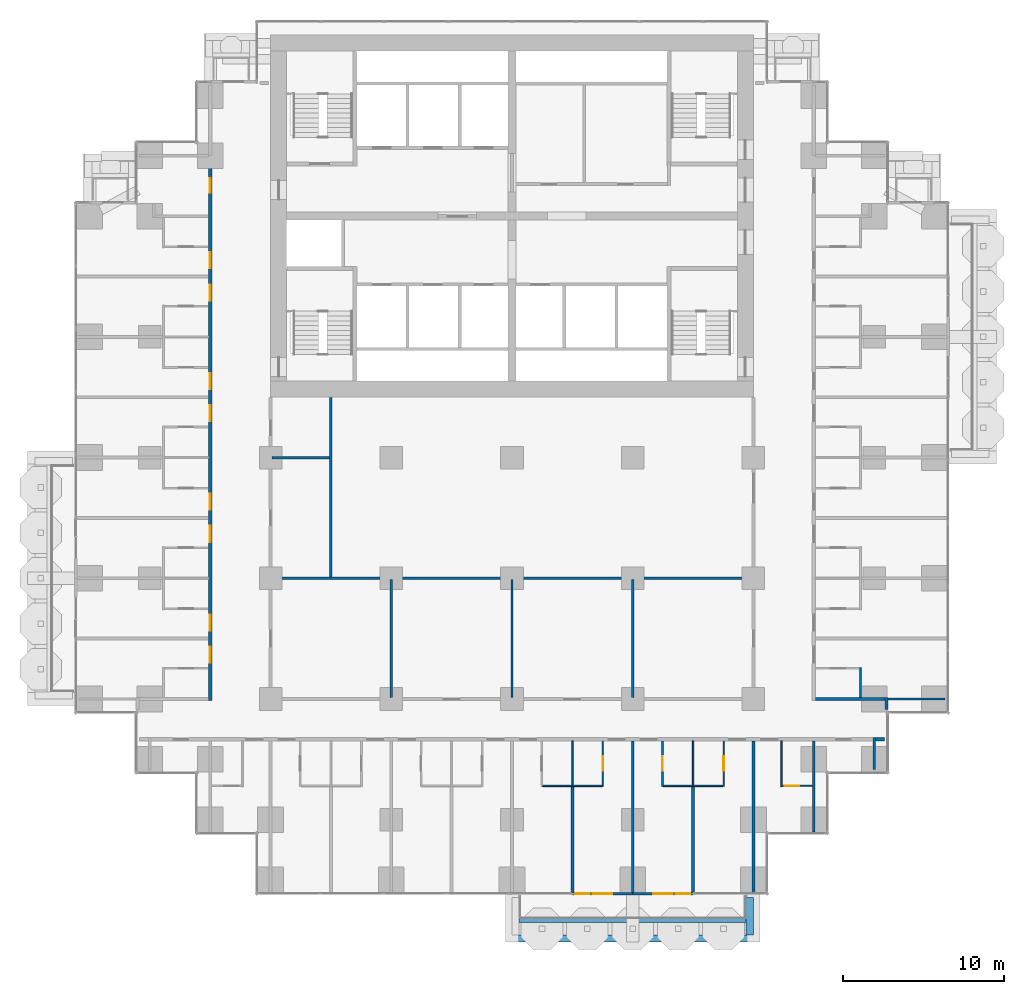
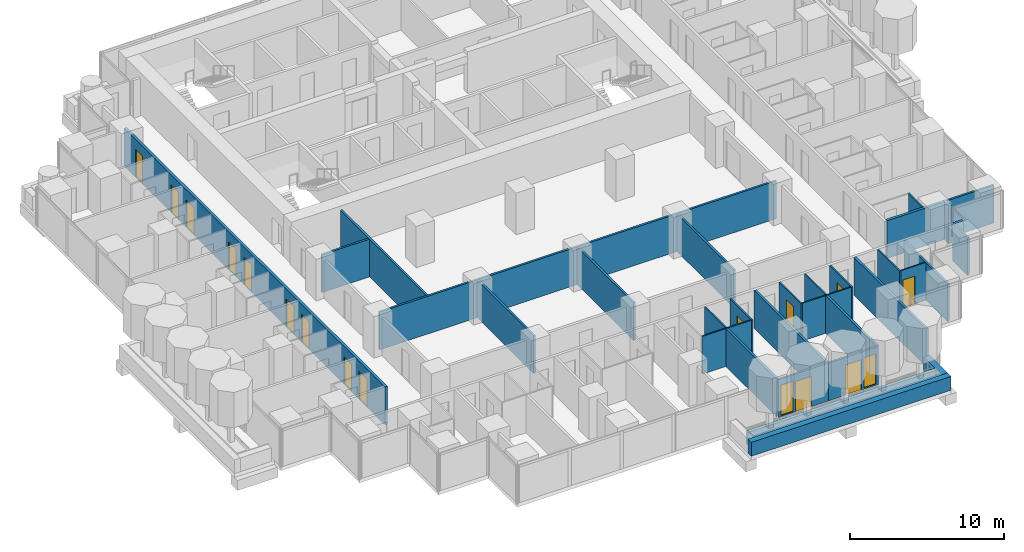
# One storey, part 12 of 19: 32 walls, 15 doors, 2 windows, 17 openings.
"""IFC4 building model written with IfcOpenShell, lengths in metres."""

import ifcopenshell
import ifcopenshell.guid

model = None  # the IFC model being written
_history = None  # IfcOwnerHistory: only IFC2X3 demands one
_inside = {}  # id of a spatial element -> (the spatial element, [elements in it])
_under = {}  # id of a project, library or spatial element -> (it, [spatial elements below it])
_declared = {}  # id of a project -> (the project, [libraries it declares])
_typed = {}  # id of a type object -> (the type object, [elements of that type])
_made_of = {}  # id of a material, layer set ... -> (it, [elements and type objects made of it])


def new_model(schema):
    """Start an empty IFC model of exactly this schema.

    Asked for "IFC4X3", IfcOpenShell would pick the latest addendum, in which some entities
    have other attributes; the version numbers below select the first issue.
    IFC2X3 requires an IfcOwnerHistory on every rooted entity: one is made here for all.
    """
    global model, _history
    if schema == "IFC4X3":
        model = ifcopenshell.file(schema_version=(4, 3, 0, 0))
    else:
        model = ifcopenshell.file(schema=schema)
    _inside.clear()
    _under.clear()
    _declared.clear()
    _typed.clear()
    _made_of.clear()
    _history = None
    if model.schema == "IFC2X3":
        org = make("IfcOrganization", Name="unknown")
        user = make(
            "IfcPersonAndOrganization",
            ThePerson=make("IfcPerson", FamilyName="unknown"),
            TheOrganization=org,
        )
        app = make(
            "IfcApplication",
            ApplicationDeveloper=org,
            Version="unknown",
            ApplicationFullName="unknown",
            ApplicationIdentifier="unknown",
        )
        _history = make(
            "IfcOwnerHistory",
            OwningUser=user,
            OwningApplication=app,
            ChangeAction="ADDED",
            CreationDate=0,
        )
    return model


def make(cls, **values):
    """One entity of the class cls with the attributes given. An attribute that is None is left unset."""
    return model.create_entity(
        cls, **{name: value for name, value in values.items() if value is not None}
    )


def rooted(cls, **values):
    """An entity with a GlobalId (a new one), such as an element, a storey or a relation."""
    return make(cls, GlobalId=ifcopenshell.guid.new(), OwnerHistory=_history, **values)


def si_unit(unit_type, name, prefix=None):
    """IfcSIUnit, for example si_unit("LENGTHUNIT", "METRE", prefix="MILLI")."""
    return make("IfcSIUnit", UnitType=unit_type, Prefix=prefix, Name=name)


def assignment(units):
    """IfcUnitAssignment: the units of a project."""
    return None if units is None else make("IfcUnitAssignment", Units=units)


def point(xyz):
    """IfcCartesianPoint."""
    return None if xyz is None else make("IfcCartesianPoint", Coordinates=xyz)


def direction(xyz):
    """IfcDirection."""
    return None if xyz is None else make("IfcDirection", DirectionRatios=xyz)


def frame(location, z_axis=None, x_axis=None):
    """IfcAxis2Placement3D, a coordinate frame: its origin and axes. An axis left out is left unset."""
    return make(
        "IfcAxis2Placement3D",
        Location=point(location),
        Axis=direction(z_axis),
        RefDirection=direction(x_axis),
    )


def frame_2d(location, x_axis=None):
    """IfcAxis2Placement2D, a coordinate frame in the plane: its origin and x axis."""
    return make(
        "IfcAxis2Placement2D", Location=point(location), RefDirection=direction(x_axis)
    )


def origin():
    """The frame at (0, 0, 0) with its axes left unset."""
    return frame((0.0, 0.0, 0.0))


def place(relative_to, where):
    """IfcLocalPlacement: puts the frame where relative to a parent placement (None: the world)."""
    return make(
        "IfcLocalPlacement", PlacementRelTo=relative_to, RelativePlacement=where
    )


def context(
    kind, dimensions, precision=None, world=None, true_north=None, identifier=None
):
    """IfcGeometricRepresentationContext, for example the 3D "Model" context."""
    return make(
        "IfcGeometricRepresentationContext",
        ContextIdentifier=identifier,
        ContextType=kind,
        CoordinateSpaceDimension=dimensions,
        Precision=precision,
        WorldCoordinateSystem=world,
        TrueNorth=true_north,
    )


def subcontext(parent, identifier, kind, view, scale=None):
    """IfcGeometricRepresentationSubContext, for example "Body" below "Model"."""
    return make(
        "IfcGeometricRepresentationSubContext",
        ContextIdentifier=identifier,
        ContextType=kind,
        ParentContext=parent,
        TargetScale=scale,
        TargetView=view,
    )


def project(units=None, contexts=None):
    """IfcProject with its units and contexts."""
    return rooted(
        "IfcProject",
        Name="project",
        RepresentationContexts=contexts,
        UnitsInContext=assignment(units),
    )


def spatial(cls, under=None, at=None, **own):
    """A site, building, storey or space (cls), placed at a placement, below another one or the project."""
    s = rooted(cls, ObjectPlacement=at, **own)
    if under is not None:
        _under.setdefault(under.id(), (under, []))[1].append(s)
    return s


def profile(cls, at=None, kind="AREA", **sizes):
    """A parametric profile (cls). Its sizes go by their IFC names, for example OverallWidth=200.0."""
    return make(cls, ProfileType=kind, Position=at, **sizes)


def rectangle(**sizes):
    """IfcRectangleProfileDef."""
    return profile("IfcRectangleProfileDef", **sizes)


def extrude(swept, where, along, depth):
    """IfcExtrudedAreaSolid: the profile swept, set in the frame where, extruded along a direction by depth."""
    return make(
        "IfcExtrudedAreaSolid",
        SweptArea=swept,
        Position=where,
        ExtrudedDirection=direction(along),
        Depth=depth,
    )


def shape(context_of_items, identifier, shape_type, items):
    """IfcShapeRepresentation: the items that make up one representation, for example the "Body"."""
    return make(
        "IfcShapeRepresentation",
        ContextOfItems=context_of_items,
        RepresentationIdentifier=identifier,
        RepresentationType=shape_type,
        Items=items,
    )


def material(Name=None, Category=None):
    """IfcMaterial."""
    return make("IfcMaterial", Name=Name, Category=Category)


def layer(
    of_material, thickness, ventilated=None, Name=None, Category=None, Priority=None
):
    """IfcMaterialLayer: one layer of a wall or slab, of a material (None: an air gap)."""
    return make(
        "IfcMaterialLayer",
        Material=of_material,
        LayerThickness=thickness,
        IsVentilated=ventilated,
        Name=Name,
        Category=Category,
        Priority=Priority,
    )


def layer_set(layers, Name=None):
    """IfcMaterialLayerSet."""
    return make("IfcMaterialLayerSet", MaterialLayers=layers, LayerSetName=Name)


def made_of(thing, what):
    """Note that an element or type object is made of a material, layer set ...; save() writes the relation."""
    if what is not None:
        _made_of.setdefault(what.id(), (what, []))[1].append(thing)
    return thing


def type_object(cls, material=None, **own):
    """A type object (cls), such as IfcWallType, which elements share."""
    return made_of(rooted(cls, **own), material)


def element(
    cls,
    number,
    at=None,
    inside=None,
    cuts=None,
    type_object=None,
    material=None,
    context=None,
    identifier="Body",
    shape_type=None,
    held_by="IfcProductDefinitionShape",
    body=None,
    shapes=None,
    **own,
):
    """One element of the class cls, such as IfcWall. Its Tag is "e" and its number.

    at: its placement. inside: the storey or other place that contains it. cuts: it is an
    opening in that element (IfcRelVoidsElement). A single representation is given by context,
    identifier, shape_type and body (its items); several are given by shapes. held_by: the class
    of the entity that holds the representations. save() writes the other relations.
    """
    e = rooted(cls, Tag="e%d" % number, ObjectPlacement=at, **own)
    if body is not None:
        shapes = [shape(context, identifier, shape_type, body)]
    if shapes is not None:
        e.Representation = make(held_by, Representations=shapes)
    if inside is not None:
        _inside.setdefault(inside.id(), (inside, []))[1].append(e)
    if cuts is not None:
        rooted(
            "IfcRelVoidsElement", RelatingBuildingElement=cuts, RelatedOpeningElement=e
        )
    if type_object is not None:
        _typed.setdefault(type_object.id(), (type_object, []))[1].append(e)
    return made_of(e, material)


def fill(opening, filler):
    """IfcRelFillsElement: the door or window that sits in an opening."""
    return rooted(
        "IfcRelFillsElement",
        RelatingOpeningElement=opening,
        RelatedBuildingElement=filler,
    )


def aggregate(whole, parts):
    """IfcRelAggregates: a whole, such as a stair, and the parts it consists of."""
    return rooted("IfcRelAggregates", RelatingObject=whole, RelatedObjects=parts)


def save(model, path):
    """Write the relations noted so far, then the file.

    IfcRelAggregates (storeys below a building ...), IfcRelContainedInSpatialStructure (elements
    in a storey), IfcRelDefinesByType, IfcRelAssociatesMaterial and IfcRelDeclares: one each for
    every whole, place, type object, material and project.
    """
    for whole, parts in _under.values():
        aggregate(whole, parts)
    for where, things in _inside.values():
        rooted(
            "IfcRelContainedInSpatialStructure",
            RelatedElements=things,
            RelatingStructure=where,
        )
    for kind, things in _typed.values():
        rooted("IfcRelDefinesByType", RelatedObjects=things, RelatingType=kind)
    for what, things in _made_of.values():
        rooted("IfcRelAssociatesMaterial", RelatedObjects=things, RelatingMaterial=what)
    for by, libraries in _declared.values():
        rooted("IfcRelDeclares", RelatingContext=by, RelatedDefinitions=libraries)
    model.write(path)


model = new_model("IFC4")

# Units and contexts
model_context = context("Model", 3, precision=1e-05, world=origin(), true_north=direction((0.0, 1.0)))
body_context = subcontext(model_context, "Body", "Model", "MODEL_VIEW")
ifc_project = project(units=[si_unit("LENGTHUNIT", "METRE"), si_unit("AREAUNIT", "SQUARE_METRE"), si_unit("VOLUMEUNIT", "CUBIC_METRE"), si_unit("PLANEANGLEUNIT", "RADIAN"), si_unit("MASSUNIT", "GRAM", prefix="KILO")], contexts=[model_context])

# Site, building, storey
site_placement = place(None, origin())
site = spatial("IfcSite", under=ifc_project, at=site_placement, CompositionType="ELEMENT")
building_placement = place(site_placement, origin())
building = spatial("IfcBuilding", under=site, at=building_placement, Name="Pilkhan Gate Tower", CompositionType="ELEMENT")
storey_placement = place(building_placement, frame((0.0, 0.0, 46.10009765625)))
storey = spatial("IfcBuildingStorey", under=building, at=storey_placement, Name="L08", CompositionType="ELEMENT", Elevation=46.10009765625)

# Walls
ifc_material_1 = material(Name="Dense blockwork", Category="masonry")
ifc_layer_1 = layer(ifc_material_1, 0.175048828125)
ifc_layer_set_1 = layer_set([ifc_layer_1], Name="Acoustic party wall PW175")
wall_type_1 = type_object("IfcWallType", Name="Acoustic party wall PW175", PredefinedType="PARTITIONING", material=ifc_layer_set_1)
wall_1_placement = place(storey_placement, frame((78.75, 40.485107421875, 0.0), z_axis=(0.0, 0.0, 1.0), x_axis=(0.0, 1.0, 0.0)))
element("IfcWall", 1, at=wall_1_placement, inside=storey, type_object=wall_type_1, Name="Partition L08", PredefinedType="PARTITIONING", context=body_context, shape_type="SweptSolid", body=[
    extrude(rectangle(XDim=6.56494140625, YDim=0.175048828125, at=frame_2d((3.282470703125, 0.0))), origin(), (0.0, 0.0, 1.0), 3.0),
])
wall_2_placement = place(storey_placement, frame((82.5, 40.485107421875, 0.0), z_axis=(0.0, 0.0, 1.0), x_axis=(0.0, 1.0, 0.0)))
element("IfcWall", 2, at=wall_2_placement, inside=storey, type_object=wall_type_1, Name="Partition L08", PredefinedType="PARTITIONING", context=body_context, shape_type="SweptSolid", body=[
    extrude(rectangle(XDim=9.414794921875, YDim=0.175048828125, at=frame_2d((4.70751953125, 0.0))), origin(), (0.0, 0.0, 1.0), 3.0),
])
wall_3_placement = place(storey_placement, frame((86.25, 40.485107421875, 0.0), z_axis=(0.0, 0.0, 1.0), x_axis=(0.0, 1.0, 0.0)))
element("IfcWall", 3, at=wall_3_placement, inside=storey, type_object=wall_type_1, Name="Partition L08", PredefinedType="PARTITIONING", context=body_context, shape_type="SweptSolid", body=[
    extrude(rectangle(XDim=6.56494140625, YDim=0.175048828125, at=frame_2d((3.282470703125, 0.0))), origin(), (0.0, 0.0, 1.0), 3.0),
])
wall_4_placement = place(storey_placement, frame((90.0, 40.485107421875, 0.0), z_axis=(0.0, 0.0, 1.0), x_axis=(0.0, 1.0, 0.0)))
element("IfcWall", 4, at=wall_4_placement, inside=storey, type_object=wall_type_1, Name="Partition L08", PredefinedType="PARTITIONING", context=body_context, shape_type="SweptSolid", body=[
    extrude(rectangle(XDim=9.414794921875, YDim=0.175048828125, at=frame_2d((4.70751953125, 0.0))), origin(), (0.0, 0.0, 1.0), 3.0),
])
ifc_material_2 = material(Name="Concrete C40/50", Category="concrete")
ifc_layer_2 = layer(ifc_material_2, 0.25)
ifc_layer_set_2 = layer_set([ifc_layer_2], Name="Balcony planter BP250")
wall_type_2 = type_object("IfcWallType", Name="Balcony planter BP250", PredefinedType="USERDEFINED", material=ifc_layer_set_2)
wall_5_placement = place(storey_placement, frame((75.449951171875, 38.72509765625, 0.0), z_axis=(0.0, 0.0, 1.0), x_axis=(1.0, 0.0, 0.0)))
element("IfcWall", 5, at=wall_5_placement, inside=storey, type_object=wall_type_2, Name="Balcony planter L08 S", ObjectType="BALCONY PLANTER", PredefinedType="USERDEFINED", context=body_context, shape_type="SweptSolid", body=[
    extrude(rectangle(XDim=14.10009765625, YDim=0.25, at=frame_2d((7.050048828125, 0.0))), origin(), (0.0, 0.0, 1.0), 1.0),
])
ifc_material_3 = material(Name="Board-marked Concrete C40/50", Category="concrete")
ifc_layer_3 = layer(ifc_material_3, 0.449951171875)
ifc_layer_set_3 = layer_set([ifc_layer_3], Name="Balcony planter lip BL450")
wall_type_3 = type_object("IfcWallType", Name="Balcony planter lip BL450", PredefinedType="USERDEFINED", material=ifc_layer_set_3)
wall_6_placement = place(storey_placement, frame((75.0, 37.625, 0.0), z_axis=(0.0, 0.0, 1.0), x_axis=(1.0, 0.0, 0.0)))
element("IfcWall", 6, at=wall_6_placement, inside=storey, type_object=wall_type_3, Name="Balcony planter L08 S", ObjectType="BALCONY PLANTER", PredefinedType="USERDEFINED", context=body_context, shape_type="SweptSolid", body=[
    extrude(rectangle(XDim=15.0, YDim=0.449951171875, at=frame_2d((7.5, 0.0))), origin(), (0.0, 0.0, 1.0), 1.099853515625),
])
wall_7_placement = place(storey_placement, frame((89.77490234375, 40.179931640625, 0.0), z_axis=(0.0, 0.0, 1.0), x_axis=(0.0, -1.0, 0.0)))
element("IfcWall", 7, at=wall_7_placement, inside=storey, type_object=wall_type_3, Name="Balcony planter L08 S", ObjectType="BALCONY PLANTER", PredefinedType="USERDEFINED", context=body_context, shape_type="SweptSolid", body=[
    extrude(rectangle(XDim=2.329833984375, YDim=0.449951171875, at=frame_2d((1.1650390625, 0.0))), origin(), (0.0, 0.0, 1.0), 1.099853515625),
])
ifc_layer_4 = layer(ifc_material_1, 0.199951171875)
ifc_layer_set_4 = layer_set([ifc_layer_4], Name="Corridor wall FW200")
wall_type_4 = type_object("IfcWallType", Name="Corridor wall FW200", PredefinedType="PARTITIONING", material=ifc_layer_set_4)
wall_8_placement = place(storey_placement, frame((97.574951171875, 50.0, 0.0), z_axis=(0.0, 0.0, 1.0), x_axis=(1.0, 0.0, 0.0)))
element("IfcWall", 8, at=wall_8_placement, inside=storey, type_object=wall_type_4, Name="Partition L08", PredefinedType="PARTITIONING", context=body_context, shape_type="SweptSolid", body=[
    extrude(rectangle(XDim=0.570068359375, YDim=0.199951171875, at=frame_2d((0.28515625, 0.0))), origin(), (0.0, 0.0, 1.0), 3.0),
])
wall_9_placement = place(storey_placement, frame((93.85009765625, 52.5, 0.0), z_axis=(0.0, 0.0, 1.0), x_axis=(1.0, 0.0, 0.0)))
element("IfcWall", 9, at=wall_9_placement, inside=storey, type_object=wall_type_4, Name="Partition L08", PredefinedType="PARTITIONING", context=body_context, shape_type="SweptSolid", body=[
    extrude(rectangle(XDim=4.31494140625, YDim=0.199951171875, at=frame_2d((2.157470703125, 0.0))), origin(), (0.0, 0.0, 1.0), 3.0),
])

# Wall, openings, doors
wall_10_placement = place(storey_placement, frame((56.25, 52.39990234375, 0.0), z_axis=(0.0, 0.0, 1.0), x_axis=(0.0, 1.0, 0.0)))
wall_10 = element("IfcWall", 10, at=wall_10_placement, inside=storey, type_object=wall_type_4, Name="Partition L08", PredefinedType="PARTITIONING", context=body_context, shape_type="SweptSolid", body=[
    extrude(rectangle(XDim=33.925048828125, YDim=0.199951171875, at=frame_2d((16.96240234375, 0.0))), origin(), (0.0, 0.0, 1.0), 3.0),
])
opening_1_placement = place(wall_10_placement, frame((2.35009765625, 0.0, 0.0)))
opening_1 = element("IfcOpeningElement", 11, at=opening_1_placement, cuts=wall_10, Name="Opening L08-26", PredefinedType="OPENING", context=body_context, shape_type="SweptSolid", body=[
    extrude(rectangle(XDim=1.0, YDim=2.199951171875, at=frame_2d((0.5, 1.10009765625))), frame((0.0, 0.10986328125, 0.0), z_axis=(0.0, -1.0, 0.0), x_axis=(1.0, 0.0, 0.0)), (0.0, 0.0, 1.0), 0.219970703125),
])
opening_2_placement = place(wall_10_placement, frame((4.35009765625, 0.0, 0.0)))
opening_2 = element("IfcOpeningElement", 12, at=opening_2_placement, cuts=wall_10, Name="Opening L08-28", PredefinedType="OPENING", context=body_context, shape_type="SweptSolid", body=[
    extrude(rectangle(XDim=1.0, YDim=2.199951171875, at=frame_2d((0.5, 1.10009765625))), frame((0.0, 0.10986328125, 0.0), z_axis=(0.0, -1.0, 0.0), x_axis=(1.0, 0.0, 0.0)), (0.0, 0.0, 1.0), 0.219970703125),
])
opening_3_placement = place(wall_10_placement, frame((9.85009765625, 0.0, 0.0)))
opening_3 = element("IfcOpeningElement", 13, at=opening_3_placement, cuts=wall_10, Name="Opening L08-30", PredefinedType="OPENING", context=body_context, shape_type="SweptSolid", body=[
    extrude(rectangle(XDim=1.0, YDim=2.199951171875, at=frame_2d((0.5, 1.10009765625))), frame((0.0, 0.10986328125, 0.0), z_axis=(0.0, -1.0, 0.0), x_axis=(1.0, 0.0, 0.0)), (0.0, 0.0, 1.0), 0.219970703125),
])
opening_4_placement = place(wall_10_placement, frame((11.85009765625, 0.0, 0.0)))
opening_4 = element("IfcOpeningElement", 14, at=opening_4_placement, cuts=wall_10, Name="Opening L08-32", PredefinedType="OPENING", context=body_context, shape_type="SweptSolid", body=[
    extrude(rectangle(XDim=1.0, YDim=2.199951171875, at=frame_2d((0.5, 1.10009765625))), frame((0.0, 0.10986328125, 0.0), z_axis=(0.0, -1.0, 0.0), x_axis=(1.0, 0.0, 0.0)), (0.0, 0.0, 1.0), 0.219970703125),
])
opening_5_placement = place(wall_10_placement, frame((17.35009765625, 0.0, 0.0)))
opening_5 = element("IfcOpeningElement", 15, at=opening_5_placement, cuts=wall_10, Name="Opening L08-34", PredefinedType="OPENING", context=body_context, shape_type="SweptSolid", body=[
    extrude(rectangle(XDim=1.0, YDim=2.199951171875, at=frame_2d((0.5, 1.10009765625))), frame((0.0, 0.10986328125, 0.0), z_axis=(0.0, -1.0, 0.0), x_axis=(1.0, 0.0, 0.0)), (0.0, 0.0, 1.0), 0.219970703125),
])
opening_6_placement = place(wall_10_placement, frame((19.35009765625, 0.0, 0.0)))
opening_6 = element("IfcOpeningElement", 16, at=opening_6_placement, cuts=wall_10, Name="Opening L08-36", PredefinedType="OPENING", context=body_context, shape_type="SweptSolid", body=[
    extrude(rectangle(XDim=1.0, YDim=2.199951171875, at=frame_2d((0.5, 1.10009765625))), frame((0.0, 0.10986328125, 0.0), z_axis=(0.0, -1.0, 0.0), x_axis=(1.0, 0.0, 0.0)), (0.0, 0.0, 1.0), 0.219970703125),
])
opening_7_placement = place(wall_10_placement, frame((24.85009765625, 0.0, 0.0)))
opening_7 = element("IfcOpeningElement", 17, at=opening_7_placement, cuts=wall_10, Name="Opening L08-38", PredefinedType="OPENING", context=body_context, shape_type="SweptSolid", body=[
    extrude(rectangle(XDim=1.0, YDim=2.199951171875, at=frame_2d((0.5, 1.10009765625))), frame((0.0, 0.10986328125, 0.0), z_axis=(0.0, -1.0, 0.0), x_axis=(1.0, 0.0, 0.0)), (0.0, 0.0, 1.0), 0.219970703125),
])
opening_8_placement = place(wall_10_placement, frame((26.85009765625, 0.0, 0.0)))
opening_8 = element("IfcOpeningElement", 18, at=opening_8_placement, cuts=wall_10, Name="Opening L08-40", PredefinedType="OPENING", context=body_context, shape_type="SweptSolid", body=[
    extrude(rectangle(XDim=1.0, YDim=2.199951171875, at=frame_2d((0.5, 1.10009765625))), frame((0.0, 0.10986328125, 0.0), z_axis=(0.0, -1.0, 0.0), x_axis=(1.0, 0.0, 0.0)), (0.0, 0.0, 1.0), 0.219970703125),
])
opening_9_placement = place(wall_10_placement, frame((31.550048828125, 0.0, 0.0)))
opening_9 = element("IfcOpeningElement", 19, at=opening_9_placement, cuts=wall_10, Name="Opening L08-65", PredefinedType="OPENING", context=body_context, shape_type="SweptSolid", body=[
    extrude(rectangle(XDim=0.89990234375, YDim=2.199951171875, at=frame_2d((0.449951171875, 1.10009765625))), frame((0.0, 0.10986328125, 0.0), z_axis=(0.0, -1.0, 0.0), x_axis=(1.0, 0.0, 0.0)), (0.0, 0.0, 1.0), 0.219970703125),
])
ifc_material_4 = material(Name="Timber flush door, 30 minute fire resisting", Category="wood")
door_type_1 = type_object("IfcDoorType", Name="Guest room door D01 1000x2200", OperationType="SINGLE_SWING_LEFT", PredefinedType="DOOR", material=ifc_material_4)
door_1_placement = place(opening_1_placement, origin())
door_1 = element("IfcDoor", 20, at=door_1_placement, inside=storey, type_object=door_type_1, Name="Guest room door", OperationType="SINGLE_SWING_LEFT", OverallHeight=2.199951171875, OverallWidth=1.0, PredefinedType="DOOR", context=body_context, shape_type="SweptSolid", body=[
    extrude(rectangle(XDim=1.0, YDim=2.199951171875, at=frame_2d((0.5, 1.10009765625))), frame((0.0, 0.02490234375, 0.0), z_axis=(0.0, -1.0, 0.0), x_axis=(1.0, 0.0, 0.0)), (0.0, 0.0, 1.0), 0.050048828125),
])
fill(opening_1, door_1)
door_2_placement = place(opening_2_placement, origin())
door_2 = element("IfcDoor", 21, at=door_2_placement, inside=storey, type_object=door_type_1, Name="Guest room door", OperationType="SINGLE_SWING_LEFT", OverallHeight=2.199951171875, OverallWidth=1.0, PredefinedType="DOOR", context=body_context, shape_type="SweptSolid", body=[
    extrude(rectangle(XDim=1.0, YDim=2.199951171875, at=frame_2d((0.5, 1.10009765625))), frame((0.0, 0.02490234375, 0.0), z_axis=(0.0, -1.0, 0.0), x_axis=(1.0, 0.0, 0.0)), (0.0, 0.0, 1.0), 0.050048828125),
])
fill(opening_2, door_2)
door_3_placement = place(opening_3_placement, origin())
door_3 = element("IfcDoor", 22, at=door_3_placement, inside=storey, type_object=door_type_1, Name="Guest room door", OperationType="SINGLE_SWING_LEFT", OverallHeight=2.199951171875, OverallWidth=1.0, PredefinedType="DOOR", context=body_context, shape_type="SweptSolid", body=[
    extrude(rectangle(XDim=1.0, YDim=2.199951171875, at=frame_2d((0.5, 1.10009765625))), frame((0.0, 0.02490234375, 0.0), z_axis=(0.0, -1.0, 0.0), x_axis=(1.0, 0.0, 0.0)), (0.0, 0.0, 1.0), 0.050048828125),
])
fill(opening_3, door_3)
door_4_placement = place(opening_4_placement, origin())
door_4 = element("IfcDoor", 23, at=door_4_placement, inside=storey, type_object=door_type_1, Name="Guest room door", OperationType="SINGLE_SWING_LEFT", OverallHeight=2.199951171875, OverallWidth=1.0, PredefinedType="DOOR", context=body_context, shape_type="SweptSolid", body=[
    extrude(rectangle(XDim=1.0, YDim=2.199951171875, at=frame_2d((0.5, 1.10009765625))), frame((0.0, 0.02490234375, 0.0), z_axis=(0.0, -1.0, 0.0), x_axis=(1.0, 0.0, 0.0)), (0.0, 0.0, 1.0), 0.050048828125),
])
fill(opening_4, door_4)
door_5_placement = place(opening_5_placement, origin())
door_5 = element("IfcDoor", 24, at=door_5_placement, inside=storey, type_object=door_type_1, Name="Guest room door", OperationType="SINGLE_SWING_RIGHT", OverallHeight=2.199951171875, OverallWidth=1.0, PredefinedType="DOOR", context=body_context, shape_type="SweptSolid", body=[
    extrude(rectangle(XDim=1.0, YDim=2.199951171875, at=frame_2d((0.5, 1.10009765625))), frame((0.0, 0.02490234375, 0.0), z_axis=(0.0, -1.0, 0.0), x_axis=(1.0, 0.0, 0.0)), (0.0, 0.0, 1.0), 0.050048828125),
])
fill(opening_5, door_5)
door_6_placement = place(opening_6_placement, origin())
door_6 = element("IfcDoor", 25, at=door_6_placement, inside=storey, type_object=door_type_1, Name="Guest room door", OperationType="SINGLE_SWING_RIGHT", OverallHeight=2.199951171875, OverallWidth=1.0, PredefinedType="DOOR", context=body_context, shape_type="SweptSolid", body=[
    extrude(rectangle(XDim=1.0, YDim=2.199951171875, at=frame_2d((0.5, 1.10009765625))), frame((0.0, 0.02490234375, 0.0), z_axis=(0.0, -1.0, 0.0), x_axis=(1.0, 0.0, 0.0)), (0.0, 0.0, 1.0), 0.050048828125),
])
fill(opening_6, door_6)
door_7_placement = place(opening_7_placement, origin())
door_7 = element("IfcDoor", 26, at=door_7_placement, inside=storey, type_object=door_type_1, Name="Guest room door", OperationType="SINGLE_SWING_LEFT", OverallHeight=2.199951171875, OverallWidth=1.0, PredefinedType="DOOR", context=body_context, shape_type="SweptSolid", body=[
    extrude(rectangle(XDim=1.0, YDim=2.199951171875, at=frame_2d((0.5, 1.10009765625))), frame((0.0, 0.02490234375, 0.0), z_axis=(0.0, -1.0, 0.0), x_axis=(1.0, 0.0, 0.0)), (0.0, 0.0, 1.0), 0.050048828125),
])
fill(opening_7, door_7)
door_8_placement = place(opening_8_placement, origin())
door_8 = element("IfcDoor", 27, at=door_8_placement, inside=storey, type_object=door_type_1, Name="Guest room door", OperationType="SINGLE_SWING_LEFT", OverallHeight=2.199951171875, OverallWidth=1.0, PredefinedType="DOOR", context=body_context, shape_type="SweptSolid", body=[
    extrude(rectangle(XDim=1.0, YDim=2.199951171875, at=frame_2d((0.5, 1.10009765625))), frame((0.0, 0.02490234375, 0.0), z_axis=(0.0, -1.0, 0.0), x_axis=(1.0, 0.0, 0.0)), (0.0, 0.0, 1.0), 0.050048828125),
])
fill(opening_8, door_8)
ifc_material_5 = material(Name="Timber flush door, 60 minute fire resisting, self-closing", Category="wood")
door_type_2 = type_object("IfcDoorType", Name="Store door D05 900x2200", OperationType="SINGLE_SWING_LEFT", PredefinedType="DOOR", material=ifc_material_5)
door_9_placement = place(opening_9_placement, origin())
door_9 = element("IfcDoor", 28, at=door_9_placement, inside=storey, type_object=door_type_2, Name="Store door", OperationType="SINGLE_SWING_LEFT", OverallHeight=2.199951171875, OverallWidth=0.89990234375, PredefinedType="DOOR", context=body_context, shape_type="SweptSolid", body=[
    extrude(rectangle(XDim=0.89990234375, YDim=2.199951171875, at=frame_2d((0.449951171875, 1.10009765625))), frame((0.0, 0.02490234375, 0.0), z_axis=(0.0, -1.0, 0.0), x_axis=(1.0, 0.0, 0.0)), (0.0, 0.0, 1.0), 0.050048828125),
])
fill(opening_9, door_9)

# Wall
wall_11_placement = place(storey_placement, frame((98.264892578125, 51.85498046875, 0.0), z_axis=(0.0, 0.0, 1.0), x_axis=(0.0, 1.0, 0.0)))
element("IfcWall", 29, at=wall_11_placement, inside=storey, type_object=wall_type_4, Name="Partition L08", PredefinedType="PARTITIONING", context=body_context, shape_type="SweptSolid", body=[
    extrude(rectangle(XDim=0.7451171875, YDim=0.199951171875, at=frame_2d((0.37255859375, 0.0))), origin(), (0.0, 0.0, 1.0), 3.0),
])

# Wall, openings, door, window
ifc_material_6 = material(Name="Pale anodised aluminium, clear laminated glazing", Category="aluminium")
ifc_layer_5 = layer(ifc_material_6, 0.14990234375)
ifc_layer_set_5 = layer_set([ifc_layer_5], Name="Facade infill wall IW150")
wall_type_5 = type_object("IfcWallType", Name="Facade infill wall IW150", PredefinedType="SOLIDWALL", material=ifc_layer_set_5)
wall_12_placement = place(storey_placement, frame((78.75, 40.405029296875, 0.0), z_axis=(0.0, 0.0, 1.0), x_axis=(1.0, 0.0, 0.0)))
wall_12 = element("IfcWall", 30, at=wall_12_placement, inside=storey, type_object=wall_type_5, Name="Infill wall L08 S", PredefinedType="SOLIDWALL", context=body_context, shape_type="SweptSolid", body=[
    extrude(rectangle(XDim=3.75, YDim=0.14990234375, at=frame_2d((1.875, 0.0))), origin(), (0.0, 0.0, 1.0), 3.0),
])
opening_10_placement = place(wall_12_placement, frame((0.1875, 0.0, 0.10009765625)))
opening_10 = element("IfcOpeningElement", 31, at=opening_10_placement, cuts=wall_12, Name="Opening W1", PredefinedType="OPENING", context=body_context, shape_type="SweptSolid", body=[
    extrude(rectangle(XDim=0.89990234375, YDim=2.39990234375, at=frame_2d((0.449951171875, 1.199951171875))), frame((0.0, 0.0849609375, 0.0), z_axis=(0.0, -1.0, 0.0), x_axis=(1.0, 0.0, 0.0)), (0.0, 0.0, 1.0), 0.169921875),
])
opening_11_placement = place(wall_12_placement, frame((1.27490234375, 0.0, 0.0)))
opening_11 = element("IfcOpeningElement", 32, at=opening_11_placement, cuts=wall_12, Name="Opening D1", PredefinedType="OPENING", context=body_context, shape_type="SweptSolid", body=[
    extrude(rectangle(XDim=1.199951171875, YDim=2.39990234375, at=frame_2d((0.60009765625, 1.199951171875))), frame((0.0, 0.0849609375, 0.0), z_axis=(0.0, -1.0, 0.0), x_axis=(1.0, 0.0, 0.0)), (0.0, 0.0, 1.0), 0.169921875),
])
ifc_material_7 = material(Name="Pale anodised aluminium, clear glazing", Category="aluminium")
door_type_3 = type_object("IfcDoorType", Name="Balcony door D1 1200x2400", OperationType="SINGLE_SWING_LEFT", PredefinedType="DOOR", material=ifc_material_7)
door_10_placement = place(opening_11_placement, origin())
door_10 = element("IfcDoor", 33, at=door_10_placement, inside=storey, type_object=door_type_3, Name="Balcony door L08", OperationType="SINGLE_SWING_LEFT", OverallHeight=2.39990234375, OverallWidth=1.199951171875, PredefinedType="DOOR", context=body_context, shape_type="SweptSolid", body=[
    extrude(rectangle(XDim=1.199951171875, YDim=2.39990234375, at=frame_2d((0.60009765625, 1.199951171875))), frame((0.0, 0.02490234375, 0.0), z_axis=(0.0, -1.0, 0.0), x_axis=(1.0, 0.0, 0.0)), (0.0, 0.0, 1.0), 0.050048828125),
])
fill(opening_11, door_10)
ifc_material_8 = material(Name="Pale anodised aluminium, clear double glazing", Category="aluminium")
window_type = type_object("IfcWindowType", Name="Window W1 900x2400", PartitioningType="SINGLE_PANEL", PredefinedType="WINDOW", material=ifc_material_8)
window_1_placement = place(opening_10_placement, origin())
window_1 = element("IfcWindow", 34, at=window_1_placement, inside=storey, type_object=window_type, Name="Window L08", OverallHeight=2.39990234375, OverallWidth=0.89990234375, PartitioningType="SINGLE_PANEL", PredefinedType="WINDOW", context=body_context, shape_type="SweptSolid", body=[
    extrude(rectangle(XDim=0.89990234375, YDim=2.39990234375, at=frame_2d((0.449951171875, 1.199951171875))), frame((0.0, 0.030029296875, 0.0), z_axis=(0.0, -1.0, 0.0), x_axis=(1.0, 0.0, 0.0)), (0.0, 0.0, 1.0), 0.06005859375),
])
fill(opening_10, window_1)

wall_13_placement = place(storey_placement, frame((82.5, 40.405029296875, 0.0), z_axis=(0.0, 0.0, 1.0), x_axis=(1.0, 0.0, 0.0)))
wall_13 = element("IfcWall", 35, at=wall_13_placement, inside=storey, type_object=wall_type_5, Name="Infill wall L08 S", PredefinedType="SOLIDWALL", context=body_context, shape_type="SweptSolid", body=[
    extrude(rectangle(XDim=3.75, YDim=0.14990234375, at=frame_2d((1.875, 0.0))), origin(), (0.0, 0.0, 1.0), 3.0),
])
opening_12_placement = place(wall_13_placement, frame((1.27490234375, 0.0, 0.0)))
opening_12 = element("IfcOpeningElement", 36, at=opening_12_placement, cuts=wall_13, Name="Opening D1", PredefinedType="OPENING", context=body_context, shape_type="SweptSolid", body=[
    extrude(rectangle(XDim=1.199951171875, YDim=2.39990234375, at=frame_2d((0.60009765625, 1.199951171875))), frame((0.0, 0.0849609375, 0.0), z_axis=(0.0, -1.0, 0.0), x_axis=(1.0, 0.0, 0.0)), (0.0, 0.0, 1.0), 0.169921875),
])
opening_13_placement = place(wall_13_placement, frame((2.66259765625, 0.0, 0.10009765625)))
opening_13 = element("IfcOpeningElement", 37, at=opening_13_placement, cuts=wall_13, Name="Opening W1", PredefinedType="OPENING", context=body_context, shape_type="SweptSolid", body=[
    extrude(rectangle(XDim=0.89990234375, YDim=2.39990234375, at=frame_2d((0.449951171875, 1.199951171875))), frame((0.0, 0.0849609375, 0.0), z_axis=(0.0, -1.0, 0.0), x_axis=(1.0, 0.0, 0.0)), (0.0, 0.0, 1.0), 0.169921875),
])
door_11_placement = place(opening_12_placement, origin())
door_11 = element("IfcDoor", 38, at=door_11_placement, inside=storey, type_object=door_type_3, Name="Balcony door L08", OperationType="SINGLE_SWING_LEFT", OverallHeight=2.39990234375, OverallWidth=1.199951171875, PredefinedType="DOOR", context=body_context, shape_type="SweptSolid", body=[
    extrude(rectangle(XDim=1.199951171875, YDim=2.39990234375, at=frame_2d((0.60009765625, 1.199951171875))), frame((0.0, 0.02490234375, 0.0), z_axis=(0.0, -1.0, 0.0), x_axis=(1.0, 0.0, 0.0)), (0.0, 0.0, 1.0), 0.050048828125),
])
fill(opening_12, door_11)
window_2_placement = place(opening_13_placement, origin())
window_2 = element("IfcWindow", 39, at=window_2_placement, inside=storey, type_object=window_type, Name="Window L08", OverallHeight=2.39990234375, OverallWidth=0.89990234375, PartitioningType="SINGLE_PANEL", PredefinedType="WINDOW", context=body_context, shape_type="SweptSolid", body=[
    extrude(rectangle(XDim=0.89990234375, YDim=2.39990234375, at=frame_2d((0.449951171875, 1.199951171875))), frame((0.0, 0.030029296875, 0.0), z_axis=(0.0, -1.0, 0.0), x_axis=(1.0, 0.0, 0.0)), (0.0, 0.0, 1.0), 0.06005859375),
])
fill(opening_13, window_2)

# Walls
ifc_material_9 = material(Name="Blockwork partition, plastered both sides", Category="masonry")
ifc_layer_6 = layer(ifc_material_9, 0.14990234375)
ifc_layer_set_6 = layer_set([ifc_layer_6], Name="Partition PW150")
wall_type_6 = type_object("IfcWallType", Name="Partition PW150", PredefinedType="PARTITIONING", material=ifc_layer_set_6)
wall_14_placement = place(storey_placement, frame((98.364990234375, 52.5, 0.0), z_axis=(0.0, 0.0, 1.0), x_axis=(1.0, 0.0, 0.0)))
element("IfcWall", 40, at=wall_14_placement, inside=storey, type_object=wall_type_6, Name="Partition L08", PredefinedType="PARTITIONING", context=body_context, shape_type="SweptSolid", body=[
    extrude(rectangle(XDim=3.530029296875, YDim=0.14990234375, at=frame_2d((1.76513671875, 0.0))), origin(), (0.0, 0.0, 1.0), 3.0),
])
wall_15_placement = place(storey_placement, frame((60.10009765625, 60.0, 0.0), z_axis=(0.0, 0.0, 1.0), x_axis=(1.0, 0.0, 0.0)))
element("IfcWall", 41, at=wall_15_placement, inside=storey, type_object=wall_type_6, Name="Partition L08", PredefinedType="PARTITIONING", context=body_context, shape_type="SweptSolid", body=[
    extrude(rectangle(XDim=29.7998046875, YDim=0.14990234375, at=frame_2d((14.89990234375, 0.0))), origin(), (0.0, 0.0, 1.0), 3.0),
])
wall_16_placement = place(storey_placement, frame((60.10009765625, 67.5, 0.0), z_axis=(0.0, 0.0, 1.0), x_axis=(1.0, 0.0, 0.0)))
element("IfcWall", 42, at=wall_16_placement, inside=storey, type_object=wall_type_6, Name="Partition L08", PredefinedType="PARTITIONING", context=body_context, shape_type="SweptSolid", body=[
    extrude(rectangle(XDim=3.574951171875, YDim=0.14990234375, at=frame_2d((1.78759765625, 0.0))), origin(), (0.0, 0.0, 1.0), 3.0),
])
wall_17_placement = place(storey_placement, frame((63.75, 60.074951171875, 0.0), z_axis=(0.0, 0.0, 1.0), x_axis=(0.0, 1.0, 0.0)))
element("IfcWall", 43, at=wall_17_placement, inside=storey, type_object=wall_type_6, Name="Partition L08", PredefinedType="PARTITIONING", context=body_context, shape_type="SweptSolid", body=[
    extrude(rectangle(XDim=11.1650390625, YDim=0.14990234375, at=frame_2d((5.58251953125, 0.0))), origin(), (0.0, 0.0, 1.0), 3.0),
])
for number, where, z_axis, x_axis, name in (
    (44, (67.5, 52.60009765625, 0.0), (0.0, 0.0, 1.0), (0.0, 1.0, 0.0), "Partition L08"),
    (45, (75.0, 52.60009765625, 0.0), (0.0, 0.0, 1.0), (0.0, 1.0, 0.0), "Partition L08"),
    (46, (82.5, 52.60009765625, 0.0), (0.0, 0.0, 1.0), (0.0, 1.0, 0.0), "Partition L08"),
):
    element("IfcWall", number, at=place(storey_placement, frame(where, z_axis=z_axis, x_axis=x_axis)), inside=storey, type_object=wall_type_6, Name=name, PredefinedType="PARTITIONING", context=body_context, shape_type="SweptSolid", body=[
        extrude(rectangle(XDim=7.324951171875, YDim=0.14990234375, at=frame_2d((3.66259765625, 0.0))), origin(), (0.0, 0.0, 1.0), 3.0),
    ])
wall_18_placement = place(storey_placement, frame((93.75, 44.235107421875, 0.0), z_axis=(0.0, 0.0, 1.0), x_axis=(0.0, 1.0, 0.0)))
element("IfcWall", 47, at=wall_18_placement, inside=storey, type_object=wall_type_6, Name="Partition L08", PredefinedType="PARTITIONING", context=body_context, shape_type="SweptSolid", body=[
    extrude(rectangle(XDim=5.664794921875, YDim=0.14990234375, at=frame_2d((2.83251953125, 0.0))), origin(), (0.0, 0.0, 1.0), 3.0),
])
wall_19_placement = place(storey_placement, frame((97.5, 48.10498046875, 0.0), z_axis=(0.0, 0.0, 1.0), x_axis=(0.0, 1.0, 0.0)))
element("IfcWall", 48, at=wall_19_placement, inside=storey, type_object=wall_type_6, Name="Partition L08", PredefinedType="PARTITIONING", context=body_context, shape_type="SweptSolid", body=[
    extrude(rectangle(XDim=1.9951171875, YDim=0.14990234375, at=frame_2d((0.99755859375, 0.0))), origin(), (0.0, 0.0, 1.0), 3.0),
])
ifc_material_10 = material(Name="Moisture resistant board, tiled")
ifc_layer_7 = layer(ifc_material_10, 0.10009765625)
ifc_layer_set_7 = layer_set([ifc_layer_7], Name="Wet wall PW100")
wall_type_7 = type_object("IfcWallType", Name="Wet wall PW100", PredefinedType="PARTITIONING", material=ifc_layer_set_7)
for number, where, z_axis, x_axis, name in (
    (49, (76.89990234375, 47.10009765625, 0.0), (0.0, 0.0, 1.0), (1.0, 0.0, 0.0), "Partition L08"),
    (50, (84.39990234375, 47.10009765625, 0.0), (0.0, 0.0, 1.0), (1.0, 0.0, 0.0), "Partition L08"),
):
    element("IfcWall", number, at=place(storey_placement, frame(where, z_axis=z_axis, x_axis=x_axis)), inside=storey, type_object=wall_type_7, Name=name, PredefinedType="PARTITIONING", context=body_context, shape_type="SweptSolid", body=[
        extrude(rectangle(XDim=3.7001953125, YDim=0.10009765625, at=frame_2d((1.85009765625, 0.0))), origin(), (0.0, 0.0, 1.0), 3.0),
    ])

# Wall, opening, door
wall_20_placement = place(storey_placement, frame((91.800048828125, 47.10009765625, 0.0), z_axis=(0.0, 0.0, 1.0), x_axis=(1.0, 0.0, 0.0)))
wall_20 = element("IfcWall", 51, at=wall_20_placement, inside=storey, type_object=wall_type_7, Name="Partition L08", PredefinedType="PARTITIONING", context=body_context, shape_type="SweptSolid", body=[
    extrude(rectangle(XDim=1.875, YDim=0.10009765625, at=frame_2d((0.9375, 0.0))), origin(), (0.0, 0.0, 1.0), 3.0),
])
opening_14_placement = place(wall_20_placement, frame((0.14990234375, 0.0, 0.0)))
opening_14 = element("IfcOpeningElement", 52, at=opening_14_placement, cuts=wall_20, Name="Opening L08-25", PredefinedType="OPENING", context=body_context, shape_type="SweptSolid", body=[
    extrude(rectangle(XDim=0.89990234375, YDim=2.199951171875, at=frame_2d((0.449951171875, 1.10009765625))), frame((0.0, 0.06005859375, 0.0), z_axis=(0.0, -1.0, 0.0), x_axis=(1.0, 0.0, 0.0)), (0.0, 0.0, 1.0), 0.1201171875),
])
ifc_material_11 = material(Name="Timber flush door", Category="wood")
door_type_4 = type_object("IfcDoorType", Name="Bathroom door D02 900x2200", OperationType="SINGLE_SWING_RIGHT", PredefinedType="DOOR", material=ifc_material_11)
door_12_placement = place(opening_14_placement, origin())
door_12 = element("IfcDoor", 53, at=door_12_placement, inside=storey, type_object=door_type_4, Name="Bathroom door", OperationType="SINGLE_SWING_RIGHT", OverallHeight=2.199951171875, OverallWidth=0.89990234375, PredefinedType="DOOR", context=body_context, shape_type="SweptSolid", body=[
    extrude(rectangle(XDim=0.89990234375, YDim=2.199951171875, at=frame_2d((0.449951171875, 1.10009765625))), frame((0.0, 0.02490234375, 0.0), z_axis=(0.0, -1.0, 0.0), x_axis=(1.0, 0.0, 0.0)), (0.0, 0.0, 1.0), 0.050048828125),
])
fill(opening_14, door_12)

# Wall
wall_21_placement = place(storey_placement, frame((78.75, 47.14990234375, 0.0), z_axis=(0.0, 0.0, 1.0), x_axis=(0.0, 1.0, 0.0)))
element("IfcWall", 54, at=wall_21_placement, inside=storey, type_object=wall_type_7, Name="Partition L08", PredefinedType="PARTITIONING", context=body_context, shape_type="SweptSolid", body=[
    extrude(rectangle(XDim=2.75, YDim=0.10009765625, at=frame_2d((1.375, 0.0))), origin(), (0.0, 0.0, 1.0), 3.0),
])

# Wall, opening, door
wall_22_placement = place(storey_placement, frame((80.64990234375, 47.050048828125, 0.0), z_axis=(0.0, 0.0, 1.0), x_axis=(0.0, 1.0, 0.0)))
wall_22 = element("IfcWall", 55, at=wall_22_placement, inside=storey, type_object=wall_type_7, Name="Partition L08", PredefinedType="PARTITIONING", context=body_context, shape_type="SweptSolid", body=[
    extrude(rectangle(XDim=2.849853515625, YDim=0.10009765625, at=frame_2d((1.4248046875, 0.0))), origin(), (0.0, 0.0, 1.0), 3.0),
])
opening_15_placement = place(wall_22_placement, frame((1.0, 0.0, 0.0)))
opening_15 = element("IfcOpeningElement", 56, at=opening_15_placement, cuts=wall_22, Name="Opening L08-19", PredefinedType="OPENING", context=body_context, shape_type="SweptSolid", body=[
    extrude(rectangle(XDim=0.89990234375, YDim=2.199951171875, at=frame_2d((0.449951171875, 1.10009765625))), frame((0.0, 0.06005859375, 0.0), z_axis=(0.0, -1.0, 0.0), x_axis=(1.0, 0.0, 0.0)), (0.0, 0.0, 1.0), 0.1201171875),
])
door_13_placement = place(opening_15_placement, origin())
door_13 = element("IfcDoor", 57, at=door_13_placement, inside=storey, type_object=door_type_4, Name="Bathroom door", OperationType="SINGLE_SWING_RIGHT", OverallHeight=2.199951171875, OverallWidth=0.89990234375, PredefinedType="DOOR", context=body_context, shape_type="SweptSolid", body=[
    extrude(rectangle(XDim=0.89990234375, YDim=2.199951171875, at=frame_2d((0.449951171875, 1.10009765625))), frame((0.0, 0.02490234375, 0.0), z_axis=(0.0, -1.0, 0.0), x_axis=(1.0, 0.0, 0.0)), (0.0, 0.0, 1.0), 0.050048828125),
])
fill(opening_15, door_13)

wall_23_placement = place(storey_placement, frame((84.35009765625, 47.050048828125, 0.0), z_axis=(0.0, 0.0, 1.0), x_axis=(0.0, 1.0, 0.0)))
wall_23 = element("IfcWall", 58, at=wall_23_placement, inside=storey, type_object=wall_type_7, Name="Partition L08", PredefinedType="PARTITIONING", context=body_context, shape_type="SweptSolid", body=[
    extrude(rectangle(XDim=2.849853515625, YDim=0.10009765625, at=frame_2d((1.4248046875, 0.0))), origin(), (0.0, 0.0, 1.0), 3.0),
])
opening_16_placement = place(wall_23_placement, frame((1.0, 0.0, 0.0)))
opening_16 = element("IfcOpeningElement", 59, at=opening_16_placement, cuts=wall_23, Name="Opening L08-21", PredefinedType="OPENING", context=body_context, shape_type="SweptSolid", body=[
    extrude(rectangle(XDim=0.89990234375, YDim=2.199951171875, at=frame_2d((0.449951171875, 1.10009765625))), frame((0.0, 0.06005859375, 0.0), z_axis=(0.0, -1.0, 0.0), x_axis=(1.0, 0.0, 0.0)), (0.0, 0.0, 1.0), 0.1201171875),
])
door_14_placement = place(opening_16_placement, origin())
door_14 = element("IfcDoor", 60, at=door_14_placement, inside=storey, type_object=door_type_4, Name="Bathroom door", OperationType="SINGLE_SWING_RIGHT", OverallHeight=2.199951171875, OverallWidth=0.89990234375, PredefinedType="DOOR", context=body_context, shape_type="SweptSolid", body=[
    extrude(rectangle(XDim=0.89990234375, YDim=2.199951171875, at=frame_2d((0.449951171875, 1.10009765625))), frame((0.0, 0.02490234375, 0.0), z_axis=(0.0, -1.0, 0.0), x_axis=(1.0, 0.0, 0.0)), (0.0, 0.0, 1.0), 0.050048828125),
])
fill(opening_16, door_14)

# Wall
wall_24_placement = place(storey_placement, frame((86.25, 47.14990234375, 0.0), z_axis=(0.0, 0.0, 1.0), x_axis=(0.0, 1.0, 0.0)))
element("IfcWall", 61, at=wall_24_placement, inside=storey, type_object=wall_type_7, Name="Partition L08", PredefinedType="PARTITIONING", context=body_context, shape_type="SweptSolid", body=[
    extrude(rectangle(XDim=2.75, YDim=0.10009765625, at=frame_2d((1.375, 0.0))), origin(), (0.0, 0.0, 1.0), 3.0),
])

# Wall, opening, door
wall_25_placement = place(storey_placement, frame((88.14990234375, 47.050048828125, 0.0), z_axis=(0.0, 0.0, 1.0), x_axis=(0.0, 1.0, 0.0)))
wall_25 = element("IfcWall", 62, at=wall_25_placement, inside=storey, type_object=wall_type_7, Name="Partition L08", PredefinedType="PARTITIONING", context=body_context, shape_type="SweptSolid", body=[
    extrude(rectangle(XDim=2.849853515625, YDim=0.10009765625, at=frame_2d((1.4248046875, 0.0))), origin(), (0.0, 0.0, 1.0), 3.0),
])
opening_17_placement = place(wall_25_placement, frame((1.0, 0.0, 0.0)))
opening_17 = element("IfcOpeningElement", 63, at=opening_17_placement, cuts=wall_25, Name="Opening L08-23", PredefinedType="OPENING", context=body_context, shape_type="SweptSolid", body=[
    extrude(rectangle(XDim=0.89990234375, YDim=2.199951171875, at=frame_2d((0.449951171875, 1.10009765625))), frame((0.0, 0.06005859375, 0.0), z_axis=(0.0, -1.0, 0.0), x_axis=(1.0, 0.0, 0.0)), (0.0, 0.0, 1.0), 0.1201171875),
])
door_15_placement = place(opening_17_placement, origin())
door_15 = element("IfcDoor", 64, at=door_15_placement, inside=storey, type_object=door_type_4, Name="Bathroom door", OperationType="SINGLE_SWING_RIGHT", OverallHeight=2.199951171875, OverallWidth=0.89990234375, PredefinedType="DOOR", context=body_context, shape_type="SweptSolid", body=[
    extrude(rectangle(XDim=0.89990234375, YDim=2.199951171875, at=frame_2d((0.449951171875, 1.10009765625))), frame((0.0, 0.02490234375, 0.0), z_axis=(0.0, -1.0, 0.0), x_axis=(1.0, 0.0, 0.0)), (0.0, 0.0, 1.0), 0.050048828125),
])
fill(opening_17, door_15)

# Walls
wall_26_placement = place(storey_placement, frame((91.75, 47.050048828125, 0.0), z_axis=(0.0, 0.0, 1.0), x_axis=(0.0, 1.0, 0.0)))
element("IfcWall", 65, at=wall_26_placement, inside=storey, type_object=wall_type_7, Name="Partition L08", PredefinedType="PARTITIONING", context=body_context, shape_type="SweptSolid", body=[
    extrude(rectangle(XDim=2.849853515625, YDim=0.10009765625, at=frame_2d((1.4248046875, 0.0))), origin(), (0.0, 0.0, 1.0), 3.0),
])
wall_27_placement = place(storey_placement, frame((96.64990234375, 52.60009765625, 0.0), z_axis=(0.0, 0.0, 1.0), x_axis=(0.0, 1.0, 0.0)))
element("IfcWall", 66, at=wall_27_placement, inside=storey, type_object=wall_type_7, Name="Partition L08", PredefinedType="PARTITIONING", context=body_context, shape_type="SweptSolid", body=[
    extrude(rectangle(XDim=1.849853515625, YDim=0.10009765625, at=frame_2d((0.9248046875, 0.0))), origin(), (0.0, 0.0, 1.0), 3.0),
])

save(model, "model.ifc")
